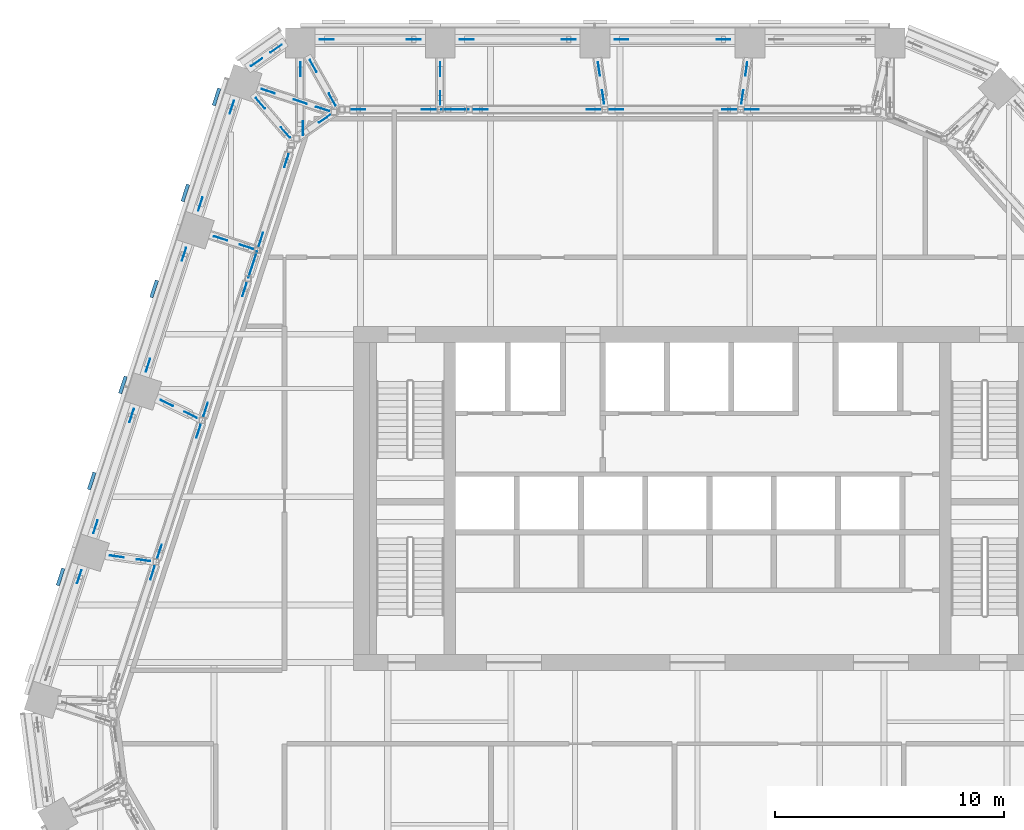
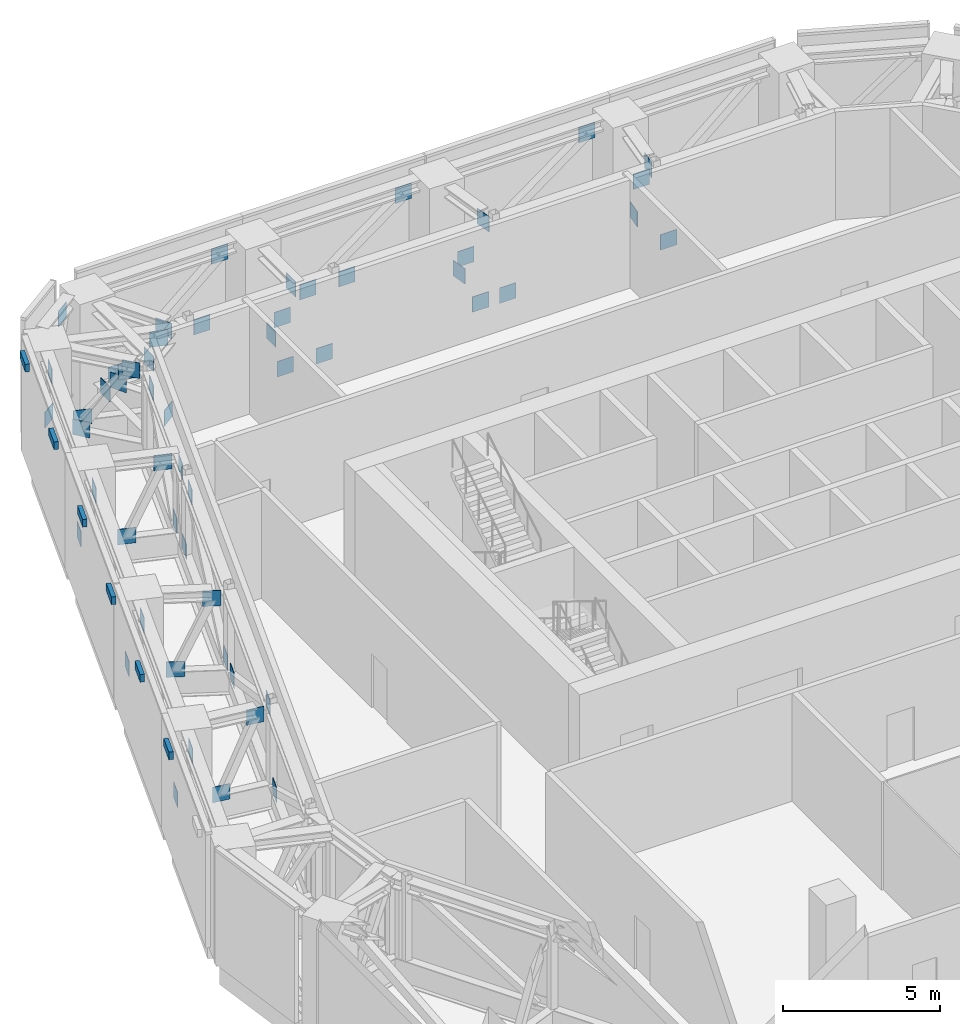
# One storey, part 23 of 26: 61 discrete accessories.
"""IFC4 building model written with IfcOpenShell, lengths in metres."""

from ifc_helpers import new_model, si_unit, direction, frame, origin, origin_2d, place, context, subcontext, project, spatial, rectangle, extrude, material, type_object, element, save


model = new_model("IFC4")

# Units and contexts
model_context = context("Model", 3, precision=1e-05, world=origin(), true_north=direction((0.0, 1.0)))
body_context = subcontext(model_context, "Body", "Model", "MODEL_VIEW")
ifc_project = project(units=[si_unit("LENGTHUNIT", "METRE"), si_unit("AREAUNIT", "SQUARE_METRE"), si_unit("VOLUMEUNIT", "CUBIC_METRE"), si_unit("PLANEANGLEUNIT", "RADIAN"), si_unit("MASSUNIT", "GRAM", prefix="KILO")], contexts=[model_context])

# Site, building, storey
site_placement = place(None, origin())
site = spatial("IfcSite", under=ifc_project, at=site_placement, CompositionType="ELEMENT")
building_placement = place(site_placement, origin())
building = spatial("IfcBuilding", under=site, at=building_placement, Name="Isthmus Gate Tower", CompositionType="ELEMENT")
storey_placement = place(building_placement, frame((0.0, 0.0, 207.300048828125)))
storey = spatial("IfcBuildingStorey", under=building, at=storey_placement, Name="L52", CompositionType="ELEMENT", Elevation=207.300048828125)

# Discrete accessories
ifc_material_1 = material(Name="Structural steel ASTM A572 Gr 50, white paint system", Category="steel")
discrete_accessory_type_1 = type_object("IfcDiscreteAccessoryType", Name="FIN BRACKET 784 X 150 X 300", PredefinedType="BRACKET", material=ifc_material_1)
for number, where, z_axis, x_axis, name in (
    (1, (-20.965087890625, 24.995849609375, 3.94970703125), (0.0, 0.0, 1.0), (-0.951056516295, 0.309016994375, 0.0), "FIN BRACKET"),
    (2, (-22.32470703125, 20.81103515625, 3.94970703125), (0.0, 0.0, 1.0), (-0.951056516295, 0.309016994375, 0.0), "FIN BRACKET"),
    (3, (-23.6845703125, 16.62646484375, 3.94970703125), (0.0, 0.0, 1.0), (-0.951056516295, 0.309016994375, 0.0), "FIN BRACKET"),
    (4, (-25.044189453125, 12.44189453125, 3.94970703125), (0.0, 0.0, 1.0), (-0.951056516295, 0.309016994375, 0.0), "FIN BRACKET"),
    (5, (-26.40380859375, 8.257080078125, 3.94970703125), (0.0, 0.0, 1.0), (-0.951056516295, 0.309016994375, 0.0), "FIN BRACKET"),
    (6, (-27.763427734375, 4.072509765625, 3.94970703125), (0.0, 0.0, 1.0), (-0.951056516295, 0.309016994375, 0.0), "FIN BRACKET"),
):
    element("IfcDiscreteAccessory", number, at=place(storey_placement, frame(where, z_axis=z_axis, x_axis=x_axis)), inside=storey, type_object=discrete_accessory_type_1, Name=name, PredefinedType="BRACKET", context=body_context, shape_type="SweptSolid", body=[
        extrude(rectangle(XDim=0.14990234375, YDim=0.78369140625, at=origin_2d()), origin(), (0.0, 0.0, 1.0), 0.300048828125),
    ])
ifc_material_2 = material(Name="Structural steel ASTM A992 Gr 50", Category="steel")
discrete_accessory_type_2 = type_object("IfcDiscreteAccessoryType", Name="GUSSET PLATE 600 X 20", PredefinedType="USERDEFINED", material=ifc_material_2)
for number, where, z_axis, x_axis, name in (
    (7, (-26.9462890625, 4.07958984375, 3.4365234375), (0.0, 0.0, 1.0), (0.309016994375, 0.951056516295, 0.0), "GUSSET PLATE"),
    (8, (-26.235595703125, 6.266845703125, 0.163330078125), (0.0, 0.0, 1.0), (0.309016994375, 0.951056516295, 0.0), "GUSSET PLATE"),
    (9, (-24.662353515625, 11.108642578125, 3.4365234375), (0.0, 0.0, 1.0), (0.309016994375, 0.951056516295, 0.0), "GUSSET PLATE"),
    (10, (-23.95166015625, 13.296142578125, 0.163330078125), (0.0, 0.0, 1.0), (0.309016994375, 0.951056516295, 0.0), "GUSSET PLATE"),
    (11, (-22.378662109375, 18.1376953125, 3.4365234375), (0.0, 0.0, 1.0), (0.309016994375, 0.951056516295, 0.0), "GUSSET PLATE"),
    (12, (-21.667724609375, 20.3251953125, 0.163330078125), (0.0, 0.0, 1.0), (0.309016994375, 0.951056516295, 0.0), "GUSSET PLATE"),
    (13, (-20.295654296875, 24.548583984375, 3.4365234375), (0.0, 0.0, 1.0), (0.309016994375, 0.951056516295, 0.0), "GUSSET PLATE"),
    (14, (-19.21142578125, 26.509521484375, 0.163330078125), (0.0, 0.0, 1.0), (0.81785959165, 0.57541783805, 0.0), "GUSSET PLATE"),
    (15, (-18.370849609375, 27.100830078125, 3.4365234375), (0.0, 0.0, 1.0), (0.81785959165, 0.57541783805, 0.0), "GUSSET PLATE"),
    (16, (-16.161865234375, 27.5, 0.163330078125), (0.0, 0.0, 1.0), (1.0, 0.0, 0.0), "GUSSET PLATE"),
    (17, (-12.36181640625, 27.5, 3.4365234375), (0.0, 0.0, 1.0), (1.0, 0.0, 0.0), "GUSSET PLATE"),
    (18, (-10.061767578125, 27.5, 0.163330078125), (0.0, 0.0, 1.0), (1.0, 0.0, 0.0), "GUSSET PLATE"),
    (19, (-5.61181640625, 27.5, 3.4365234375), (0.0, 0.0, 1.0), (1.0, 0.0, 0.0), "GUSSET PLATE"),
    (20, (-3.311767578125, 27.5, 0.163330078125), (0.0, 0.0, 1.0), (1.0, 0.0, 0.0), "GUSSET PLATE"),
    (21, (1.138427734375, 27.5, 3.4365234375), (0.0, 0.0, 1.0), (1.0, 0.0, 0.0), "GUSSET PLATE"),
    (22, (2.128173828125, 26.211181640625, 0.680908203125), (0.0, 0.0, 1.0), (-0.139293653777, -0.990251118665, 0.0), "GUSSET PLATE"),
    (23, (1.957763671875, 25.0, 3.384033203125), (0.0, 0.0, 1.0), (-0.139293653777, -0.990251118665, 0.0), "GUSSET PLATE"),
    (24, (-4.29248046875, 26.212646484375, 0.680908203125), (0.0, 0.0, 1.0), (0.1472106568, -0.98910516252, 0.0), "GUSSET PLATE"),
    (25, (-4.112060546875, 25.0, 3.384033203125), (0.0, 0.0, 1.0), (0.1472106568, -0.98910516252, 0.0), "GUSSET PLATE"),
    (26, (-11.2119140625, 26.199951171875, 0.680908203125), (0.0, 0.0, 1.0), (0.0, -1.0, 0.0), "GUSSET PLATE"),
    (27, (-11.2119140625, 24.949951171875, 3.384033203125), (0.0, 0.0, 1.0), (0.0, -1.0, 0.0), "GUSSET PLATE"),
    (28, (-17.31201171875, 26.199951171875, 0.680908203125), (0.0, 0.0, 1.0), (0.0, -1.0, 0.0), "GUSSET PLATE"),
    (29, (-17.1884765625, 23.63671875, 3.384033203125), (0.0, 0.0, 1.0), (0.0, -1.0, 0.0), "GUSSET PLATE"),
    (30, (-18.703857421875, 25.240478515625, 0.680908203125), (0.0, 0.0, 1.0), (0.951056516328, -0.309016994275, 0.0), "GUSSET PLATE"),
    (31, (-17.3125, 24.78857421875, 2.272216796875), (0.0, 0.0, 1.0), (0.951056516328, -0.309016994275, 0.0), "GUSSET PLATE"),
    (32, (-16.34033203125, 24.47265625, 3.384033203125), (0.0, 0.0, 1.0), (0.951056516328, -0.309016994275, 0.0), "GUSSET PLATE"),
    (33, (-20.786865234375, 18.82958984375, 0.680908203125), (0.0, 0.0, 1.0), (0.951056516295, -0.309016994375, 0.0), "GUSSET PLATE"),
    (34, (-19.660400390625, 18.463623046875, 3.384033203125), (0.0, 0.0, 1.0), (0.951056516295, -0.309016994375, 0.0), "GUSSET PLATE"),
    (35, (-23.131591796875, 11.650146484375, 0.680908203125), (0.0, 0.0, 1.0), (0.898072260875, -0.439847944461, 0.0), "GUSSET PLATE"),
    (36, (-22.09228515625, 11.14111328125, 3.384033203125), (0.0, 0.0, 1.0), (0.898072260875, -0.439847944461, 0.0), "GUSSET PLATE"),
    (37, (-25.309814453125, 4.96533203125, 0.680908203125), (0.0, 0.0, 1.0), (0.990077320358, -0.140523662468, 0.0), "GUSSET PLATE"),
    (38, (-24.152099609375, 4.801025390625, 3.384033203125), (0.0, 0.0, 1.0), (0.990077320358, -0.140523662468, 0.0), "GUSSET PLATE"),
    (39, (-19.050048828125, 24.721923828125, 0.680908203125), (0.0, 0.0, 1.0), (0.649970926445, -0.759959074409, 0.0), "GUSSET PLATE"),
    (40, (-17.962646484375, 23.45068359375, 3.384033203125), (0.0, 0.0, 1.0), (0.649970926445, -0.759959074409, 0.0), "GUSSET PLATE"),
    (41, (-16.747314453125, 26.34814453125, 0.680908203125), (0.0, 0.0, 1.0), (0.491069133189, -0.871120603837, 0.0), "GUSSET PLATE"),
    (42, (-15.922607421875, 24.885498046875, 3.384033203125), (0.0, 0.0, 1.0), (0.491069133189, -0.871120603837, 0.0), "GUSSET PLATE"),
    (43, (-23.75390625, 4.2470703125, 0.680908203125), (0.0, 0.0, 1.0), (-0.309016994375, -0.951056516295, 0.0), "GUSSET PLATE"),
    (44, (-21.747802734375, 10.42138671875, 0.680908203125), (0.0, 0.0, 1.0), (-0.309016994375, -0.951056516295, 0.0), "GUSSET PLATE"),
    (45, (-23.44482421875, 5.1982421875, 3.384033203125), (0.0, 0.0, 1.0), (-0.309016994375, -0.951056516295, 0.0), "GUSSET PLATE"),
    (46, (-21.438720703125, 11.37255859375, 0.680908203125), (0.0, 0.0, 1.0), (0.309016994375, 0.951056516295, 0.0), "GUSSET PLATE"),
    (47, (-19.741455078125, 16.595703125, 3.384033203125), (0.0, 0.0, 1.0), (0.309016994375, 0.951056516295, 0.0), "GUSSET PLATE"),
    (48, (-19.478515625, 17.405029296875, 0.680908203125), (0.0, 0.0, 1.0), (0.309016994375, 0.951056516295, 0.0), "GUSSET PLATE"),
    (49, (-19.293212890625, 17.9755859375, 3.384033203125), (0.0, 0.0, 1.0), (0.309016994375, 0.951056516295, 0.0), "GUSSET PLATE"),
    (50, (-19.0302734375, 18.784912109375, 0.680908203125), (0.0, 0.0, 1.0), (0.309016994375, 0.951056516295, 0.0), "GUSSET PLATE"),
    (51, (-17.915771484375, 22.214599609375, 3.384033203125), (0.0, 0.0, 1.0), (0.309016994375, 0.951056516295, 0.0), "GUSSET PLATE"),
    (52, (-16.249755859375, 24.047119140625, 0.680908203125), (0.0, 0.0, 1.0), (-0.81785959165, -0.57541783805, 0.0), "GUSSET PLATE"),
    (53, (-11.712158203125, 24.449951171875, 0.680908203125), (0.0, 0.0, 1.0), (-1.0, 0.0, 0.0), "GUSSET PLATE"),
    (54, (-14.777099609375, 24.449951171875, 3.384033203125), (0.0, 0.0, 1.0), (-1.0, 0.0, 0.0), "GUSSET PLATE"),
    (55, (-10.276611328125, 24.449951171875, 0.680908203125), (0.0, 0.0, 1.0), (-1.0, 0.0, 0.0), "GUSSET PLATE"),
    (56, (-10.876708984375, 24.449951171875, 3.384033203125), (0.0, 0.0, 1.0), (-1.0, 0.0, 0.0), "GUSSET PLATE"),
    (57, (-4.5302734375, 24.449951171875, 0.680908203125), (0.0, 0.0, 1.0), (-1.0, 0.0, 0.0), "GUSSET PLATE"),
    (58, (-9.441162109375, 24.449951171875, 3.384033203125), (0.0, 0.0, 1.0), (-1.0, 0.0, 0.0), "GUSSET PLATE"),
    (59, (-3.5302734375, 24.449951171875, 0.680908203125), (0.0, 0.0, 1.0), (1.0, 0.0, 0.0), "GUSSET PLATE"),
    (60, (1.380859375, 24.449951171875, 3.384033203125), (0.0, 0.0, 1.0), (1.0, 0.0, 0.0), "GUSSET PLATE"),
    (61, (2.380859375, 24.449951171875, 0.680908203125), (0.0, 0.0, 1.0), (1.0, 0.0, 0.0), "GUSSET PLATE"),
):
    element("IfcDiscreteAccessory", number, at=place(storey_placement, frame(where, z_axis=z_axis, x_axis=x_axis)), inside=storey, type_object=discrete_accessory_type_2, Name=name, ObjectType="GUSSET PLATE", PredefinedType="USERDEFINED", context=body_context, shape_type="SweptSolid", body=[
        extrude(rectangle(XDim=0.60009765625, YDim=0.02001953125, at=origin_2d()), origin(), (0.0, 0.0, 1.0), 0.60009765625),
    ])

save(model, "model.ifc")
